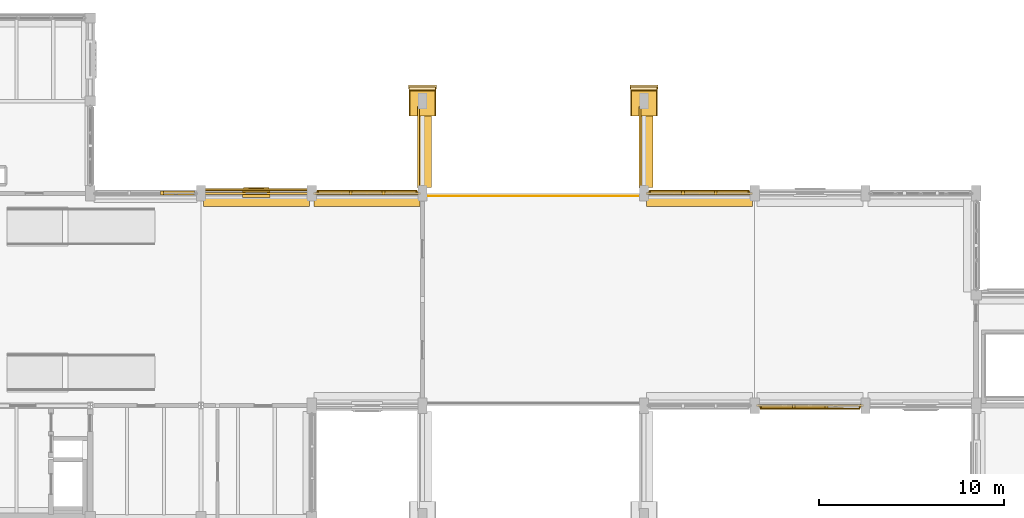
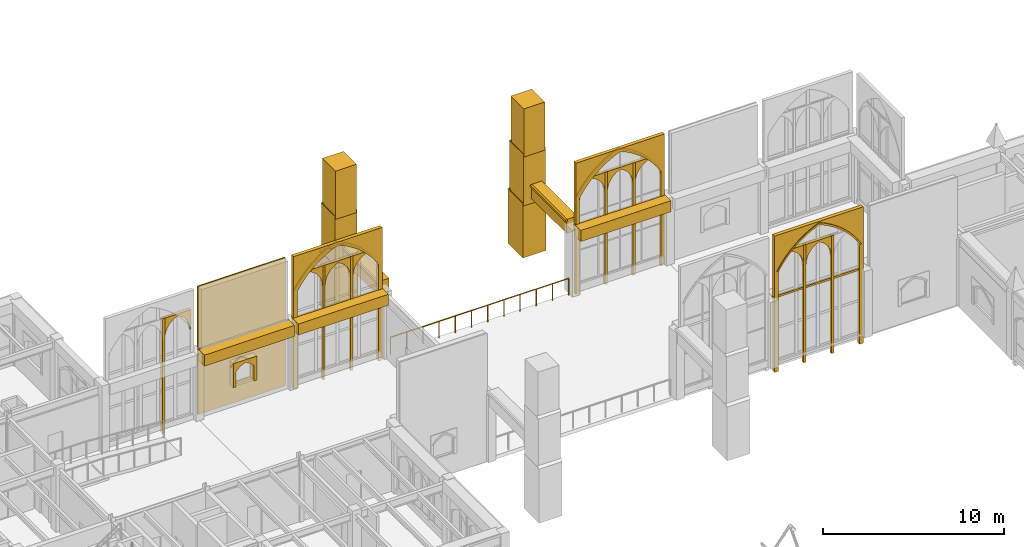
# One storey, part 100 of 108: 46 coverings, 1 railing.
"""IFC4 building model written with IfcOpenShell, lengths in metres."""

from ifc_helpers import new_model, si_unit, direction, frame, origin, origin_2d, place, context, subcontext, project, spatial, polyline, rectangle, circle, outline, extrude, material, type_object, element, save


model = new_model("IFC4")

# Units and contexts
model_context = context("Model", 3, precision=1e-05, world=origin(), true_north=direction((0.0, 1.0)))
body_context = subcontext(model_context, "Body", "Model", "MODEL_VIEW")
ifc_project = project(units=[si_unit("LENGTHUNIT", "METRE"), si_unit("AREAUNIT", "SQUARE_METRE"), si_unit("VOLUMEUNIT", "CUBIC_METRE"), si_unit("PLANEANGLEUNIT", "RADIAN"), si_unit("MASSUNIT", "GRAM", prefix="KILO")], contexts=[model_context])

# Site, building, storey
site_placement = place(None, origin())
site = spatial("IfcSite", under=ifc_project, at=site_placement, CompositionType="ELEMENT")
building_placement = place(site_placement, origin())
building = spatial("IfcBuilding", under=site, at=building_placement, Name="Cumevento Cable Car Station", CompositionType="ELEMENT")
storey_placement = place(building_placement, frame((0.0, 0.0, 13.5)))
storey = spatial("IfcBuildingStorey", under=building, at=storey_placement, Name="L04", CompositionType="ELEMENT", Elevation=13.5)

# Railing
ifc_material_1 = material(Name="Painted Galvanised Architectural Steel", Category="steel")
railing_type = type_object("IfcRailingType", Name="Terrace Guardrail GR-P115 1150", PredefinedType="GUARDRAIL", material=ifc_material_1)
railing_placement = place(storey_placement, frame((88.320068359375, 56.360107421875, 0.0)))
element("IfcRailing", 1, at=railing_placement, inside=storey, type_object=railing_type, Name="Boarding Hall North Uphill Cabin Throat Safety Balustrade", PredefinedType="GUARDRAIL", context=body_context, shape_type="SweptSolid", body=[
    extrude(circle(Radius=0.02392578125, at=origin_2d()), frame((0.0, 0.0, 1.1259765625), z_axis=(1.0, 0.0, 0.0), x_axis=(0.0, 1.0, 0.0)), (0.0, 0.0, 1.0), 11.35986328125),
    extrude(circle(Radius=0.02099609375, at=origin_2d()), origin(), (0.0, 0.0, 1.0), 1.101806640625),
    extrude(circle(Radius=0.02099609375, at=origin_2d()), frame((1.03271484375, 0.0, 0.0)), (0.0, 0.0, 1.0), 1.101806640625),
    extrude(circle(Radius=0.02099609375, at=origin_2d()), frame((2.0654296875, 0.0, 0.0)), (0.0, 0.0, 1.0), 1.101806640625),
    extrude(circle(Radius=0.02099609375, at=origin_2d()), frame((3.09814453125, 0.0, 0.0)), (0.0, 0.0, 1.0), 1.101806640625),
    extrude(circle(Radius=0.02099609375, at=origin_2d()), frame((4.130859375, 0.0, 0.0)), (0.0, 0.0, 1.0), 1.101806640625),
    extrude(circle(Radius=0.02099609375, at=origin_2d()), frame((5.16357421875, 0.0, 0.0)), (0.0, 0.0, 1.0), 1.101806640625),
    extrude(circle(Radius=0.02099609375, at=origin_2d()), frame((6.1962890625, 0.0, 0.0)), (0.0, 0.0, 1.0), 1.101806640625),
    extrude(circle(Radius=0.02099609375, at=origin_2d()), frame((7.22900390625, 0.0, 0.0)), (0.0, 0.0, 1.0), 1.101806640625),
    extrude(circle(Radius=0.02099609375, at=origin_2d()), frame((8.26171875, 0.0, 0.0)), (0.0, 0.0, 1.0), 1.101806640625),
    extrude(circle(Radius=0.02099609375, at=origin_2d()), frame((9.29443359375, 0.0, 0.0)), (0.0, 0.0, 1.0), 1.101806640625),
    extrude(circle(Radius=0.02099609375, at=origin_2d()), frame((10.3271484375, 0.0, 0.0)), (0.0, 0.0, 1.0), 1.101806640625),
    extrude(circle(Radius=0.02099609375, at=origin_2d()), frame((11.35986328125, 0.0, 0.0)), (0.0, 0.0, 1.0), 1.101806640625),
])

# Coverings
ifc_material_2 = material(Name="Gnaisse Facoidal Stone Ashlar 85 MPa", Category="masonry")
covering_type = type_object("IfcCoveringType", Name="Gnaisse Ashlar Cladding CV-CL01", PredefinedType="CLADDING", material=ifc_material_2)
covering_1_placement = place(storey_placement, frame((79.0, 56.1298828125, 3.782958984375), z_axis=(0.0, 0.0, 1.0), x_axis=(1.0, 0.0, 0.0)))
element("IfcCovering", 2, at=covering_1_placement, inside=storey, type_object=covering_type, Name="Gothic Stone Spandrel Stringcourse sc:0735", PredefinedType="CLADDING", context=body_context, shape_type="SweptSolid", body=[
    extrude(rectangle(XDim=5.739990234375, YDim=0.659912109375, at=origin_2d()), origin(), (0.0, 0.0, 1.0), 0.7470703125),
])
covering_2_placement = place(storey_placement, frame((79.0, 56.487548828125, 4.400146484375), z_axis=(0.0, 0.0, 1.0), x_axis=(1.0, 0.0, 0.0)))
element("IfcCovering", 3, at=covering_2_placement, inside=storey, type_object=covering_type, Name="Gothic Cornice Dripstone Lip sc:0735", PredefinedType="CLADDING", context=body_context, shape_type="SweptSolid", body=[
    extrude(rectangle(XDim=5.780029296875, YDim=0.114990234375, at=origin_2d()), origin(), (0.0, 0.0, 1.0), 0.1298828125),
])
covering_3_placement = place(storey_placement, frame((85.0, 56.1298828125, 3.782958984375), z_axis=(0.0, 0.0, 1.0), x_axis=(1.0, 0.0, 0.0)))
element("IfcCovering", 4, at=covering_3_placement, inside=storey, type_object=covering_type, Name="Gothic Stone Spandrel Stringcourse sc:0736", PredefinedType="CLADDING", context=body_context, shape_type="SweptSolid", body=[
    extrude(rectangle(XDim=5.739990234375, YDim=0.659912109375, at=origin_2d()), origin(), (0.0, 0.0, 1.0), 0.7470703125),
])
for number, where, z_axis, x_axis, name in (
    (5, (85.0, 56.487548828125, 4.400146484375), (0.0, 0.0, 1.0), (1.0, 0.0, 0.0), "Gothic Cornice Dripstone Lip sc:0736"),
    (6, (109.0, 45.012451171875, 4.400146484375), (0.0, 0.0, 1.0), (-1.0, 0.0, 0.0), "Gothic Cornice Dripstone Lip sc:0738"),
):
    element("IfcCovering", number, at=place(storey_placement, frame(where, z_axis=z_axis, x_axis=x_axis)), inside=storey, type_object=covering_type, Name=name, PredefinedType="CLADDING", context=body_context, shape_type="SweptSolid", body=[
        extrude(rectangle(XDim=5.780029296875, YDim=0.114990234375, at=origin_2d()), origin(), (0.0, 0.0, 1.0), 0.1298828125),
    ])
covering_4_placement = place(storey_placement, frame((103.0, 56.1298828125, 3.782958984375), z_axis=(0.0, 0.0, 1.0), x_axis=(1.0, 0.0, 0.0)))
element("IfcCovering", 7, at=covering_4_placement, inside=storey, type_object=covering_type, Name="Gothic Stone Spandrel Stringcourse sc:0740", PredefinedType="CLADDING", context=body_context, shape_type="SweptSolid", body=[
    extrude(rectangle(XDim=5.739990234375, YDim=0.659912109375, at=origin_2d()), origin(), (0.0, 0.0, 1.0), 0.7470703125),
])
covering_5_placement = place(storey_placement, frame((103.0, 56.487548828125, 4.400146484375), z_axis=(0.0, 0.0, 1.0), x_axis=(1.0, 0.0, 0.0)))
element("IfcCovering", 8, at=covering_5_placement, inside=storey, type_object=covering_type, Name="Gothic Cornice Dripstone Lip sc:0740", PredefinedType="CLADDING", context=body_context, shape_type="SweptSolid", body=[
    extrude(rectangle(XDim=5.780029296875, YDim=0.114990234375, at=origin_2d()), origin(), (0.0, 0.0, 1.0), 0.1298828125),
])
covering_6_placement = place(storey_placement, frame((88.14306640625, 59.0, 3.83203125), z_axis=(0.0, 0.0, 1.0), x_axis=(0.0, 1.0, 0.0)))
element("IfcCovering", 9, at=covering_6_placement, inside=storey, type_object=covering_type, Name="Gothic Stone Spandrel Stringcourse sc:0860", PredefinedType="CLADDING", context=body_context, shape_type="SweptSolid", body=[
    extrude(rectangle(XDim=4.389892578125, YDim=0.674072265625, at=origin_2d()), origin(), (0.0, 0.0, 1.0), 0.947998046875),
])
covering_7_placement = place(storey_placement, frame((87.778564453125, 59.0, 4.650146484375), z_axis=(0.0, 0.0, 1.0), x_axis=(0.0, 1.0, 0.0)))
element("IfcCovering", 10, at=covering_7_placement, inside=storey, type_object=covering_type, Name="Gothic Cornice Dripstone Lip sc:0860", PredefinedType="CLADDING", context=body_context, shape_type="SweptSolid", body=[
    extrude(rectangle(XDim=4.429931640625, YDim=0.114990234375, at=origin_2d()), origin(), (0.0, 0.0, 1.0), 0.1298828125),
])
covering_8_placement = place(storey_placement, frame((100.14306640625, 59.0, 3.83203125), z_axis=(0.0, 0.0, 1.0), x_axis=(0.0, 1.0, 0.0)))
element("IfcCovering", 11, at=covering_8_placement, inside=storey, type_object=covering_type, Name="Gothic Stone Spandrel Stringcourse sc:0861", PredefinedType="CLADDING", context=body_context, shape_type="SweptSolid", body=[
    extrude(rectangle(XDim=4.389892578125, YDim=0.674072265625, at=origin_2d()), origin(), (0.0, 0.0, 1.0), 0.947998046875),
])
covering_9_placement = place(storey_placement, frame((99.778564453125, 59.0, 4.650146484375), z_axis=(0.0, 0.0, 1.0), x_axis=(0.0, 1.0, 0.0)))
element("IfcCovering", 12, at=covering_9_placement, inside=storey, type_object=covering_type, Name="Gothic Cornice Dripstone Lip sc:0861", PredefinedType="CLADDING", context=body_context, shape_type="SweptSolid", body=[
    extrude(rectangle(XDim=4.429931640625, YDim=0.114990234375, at=origin_2d()), origin(), (0.0, 0.0, 1.0), 0.1298828125),
])
covering_10_placement = place(storey_placement, frame((88.0, 61.530029296875, 0.0), z_axis=(0.0, 0.0, 1.0), x_axis=(-1.0, 0.0, 0.0)))
element("IfcCovering", 13, at=covering_10_placement, inside=storey, type_object=covering_type, Name="Stepped Gothic Stone Buttress Tier 1 ptl_butt_f:1:88", PredefinedType="CLADDING", context=body_context, shape_type="SweptSolid", body=[
    extrude(rectangle(XDim=1.4599609375, YDim=1.659912109375, at=origin_2d()), origin(), (0.0, 0.0, 1.0), 3.68603515625),
])
covering_11_placement = place(storey_placement, frame((88.75, 62.3798828125, 3.666015625), z_axis=(0.0, 0.711135781079, 0.703054692658), x_axis=(-1.0, 0.0, 0.0)))
element("IfcCovering", 14, at=covering_11_placement, inside=storey, type_object=covering_type, Name="Gothic Buttress Sloped Stone Weathering 1 ptl_butt_f:1:88", PredefinedType="CLADDING", context=body_context, shape_type="SweptSolid", body=[
    extrude(outline(polyline([(0.0, 0.0), (1.5, 0.0), (1.5, 0.24169083397703695), (0.0, 0.24169083397703695), (0.0, 0.0)])), origin(), (0.0, 0.0, -1.0), 0.090087890625),
])
covering_12_placement = place(storey_placement, frame((88.0, 61.469970703125, 3.4921875), z_axis=(0.0, 0.0, 1.0), x_axis=(-1.0, 0.0, 0.0)))
element("IfcCovering", 15, at=covering_12_placement, inside=storey, type_object=covering_type, Name="Stepped Gothic Stone Buttress Tier 2 ptl_butt_f:1:88", PredefinedType="CLADDING", context=body_context, shape_type="SweptSolid", body=[
    extrude(rectangle(XDim=1.39990234375, YDim=1.5400390625, at=origin_2d()), origin(), (0.0, 0.0, 1.0), 3.491943359375),
])
covering_13_placement = place(storey_placement, frame((88.719970703125, 62.260009765625, 6.964111328125), z_axis=(0.0, 0.713916320815, 0.70023102393), x_axis=(-1.0, 0.0, 0.0)))
element("IfcCovering", 16, at=covering_13_placement, inside=storey, type_object=covering_type, Name="Gothic Buttress Sloped Stone Weathering 2 ptl_butt_f:1:88", PredefinedType="CLADDING", context=body_context, shape_type="SweptSolid", body=[
    extrude(outline(polyline([(0.0, 0.0), (1.43994140625, 0.0), (1.43994140625, 0.21407555310624363), (0.0, 0.21407555310624363), (0.0, 0.0)])), origin(), (0.0, 0.0, -1.0), 0.090087890625),
])
covering_14_placement = place(storey_placement, frame((88.0, 61.419921875, 6.7900390625), z_axis=(0.0, 0.0, 1.0), x_axis=(-1.0, 0.0, 0.0)))
element("IfcCovering", 17, at=covering_14_placement, inside=storey, type_object=covering_type, Name="Stepped Gothic Stone Buttress Tier 3 ptl_butt_f:1:88", PredefinedType="CLADDING", context=body_context, shape_type="SweptSolid", body=[
    extrude(rectangle(XDim=1.340087890625, YDim=1.43994140625, at=origin_2d()), origin(), (0.0, 0.0, 1.0), 3.25),
])
covering_15_placement = place(storey_placement, frame((100.0, 61.530029296875, 0.0), z_axis=(0.0, 0.0, 1.0), x_axis=(-1.0, 0.0, 0.0)))
element("IfcCovering", 18, at=covering_15_placement, inside=storey, type_object=covering_type, Name="Stepped Gothic Stone Buttress Tier 1 ptl_butt_f:1:100", PredefinedType="CLADDING", context=body_context, shape_type="SweptSolid", body=[
    extrude(rectangle(XDim=1.4599609375, YDim=1.659912109375, at=origin_2d()), origin(), (0.0, 0.0, 1.0), 3.68603515625),
])
covering_16_placement = place(storey_placement, frame((100.75, 62.3798828125, 3.666015625), z_axis=(0.0, 0.711135781079, 0.703054692658), x_axis=(-1.0, 0.0, 0.0)))
element("IfcCovering", 19, at=covering_16_placement, inside=storey, type_object=covering_type, Name="Gothic Buttress Sloped Stone Weathering 1 ptl_butt_f:1:100", PredefinedType="CLADDING", context=body_context, shape_type="SweptSolid", body=[
    extrude(outline(polyline([(0.0, 0.0), (1.5, 0.0), (1.5, 0.24169083397703695), (0.0, 0.24169083397703695), (0.0, 0.0)])), origin(), (0.0, 0.0, -1.0), 0.090087890625),
])
covering_17_placement = place(storey_placement, frame((100.0, 61.469970703125, 3.4921875), z_axis=(0.0, 0.0, 1.0), x_axis=(-1.0, 0.0, 0.0)))
element("IfcCovering", 20, at=covering_17_placement, inside=storey, type_object=covering_type, Name="Stepped Gothic Stone Buttress Tier 2 ptl_butt_f:1:100", PredefinedType="CLADDING", context=body_context, shape_type="SweptSolid", body=[
    extrude(rectangle(XDim=1.39990234375, YDim=1.5400390625, at=origin_2d()), origin(), (0.0, 0.0, 1.0), 3.491943359375),
])
covering_18_placement = place(storey_placement, frame((100.719970703125, 62.260009765625, 6.964111328125), z_axis=(0.0, 0.713916320815, 0.70023102393), x_axis=(-1.0, 0.0, 0.0)))
element("IfcCovering", 21, at=covering_18_placement, inside=storey, type_object=covering_type, Name="Gothic Buttress Sloped Stone Weathering 2 ptl_butt_f:1:100", PredefinedType="CLADDING", context=body_context, shape_type="SweptSolid", body=[
    extrude(outline(polyline([(0.0, 0.0), (1.43994140625, 0.0), (1.43994140625, 0.21407555310624363), (0.0, 0.21407555310624363), (0.0, 0.0)])), origin(), (0.0, 0.0, -1.0), 0.090087890625),
])
covering_19_placement = place(storey_placement, frame((100.0, 61.419921875, 6.7900390625), z_axis=(0.0, 0.0, 1.0), x_axis=(-1.0, 0.0, 0.0)))
element("IfcCovering", 22, at=covering_19_placement, inside=storey, type_object=covering_type, Name="Stepped Gothic Stone Buttress Tier 3 ptl_butt_f:1:100", PredefinedType="CLADDING", context=body_context, shape_type="SweptSolid", body=[
    extrude(rectangle(XDim=1.340087890625, YDim=1.43994140625, at=origin_2d()), origin(), (0.0, 0.0, 1.0), 3.25),
])
covering_20_placement = place(storey_placement, frame((70.25, 56.5, -0.320068359375), z_axis=(0.0, 0.0, 1.0), x_axis=(1.0, 0.0, 0.0)))
element("IfcCovering", 23, at=covering_20_placement, inside=storey, type_object=covering_type, Name="Gothic Bifora Stone Colonnette cw_ogival:0164 #2", PredefinedType="CLADDING", context=body_context, shape_type="SweptSolid", body=[
    extrude(outline(polyline([(3.563232421875, -0.02001953125), (3.71337890625, -0.02001953125), (3.71337890625, 7.72265625), (3.563232421875, 7.72265625), (3.563232421875, -0.02001953125)])), frame((0.0, 0.1279296875, 0.0), z_axis=(0.0, -1.0, 0.0), x_axis=(1.0, 0.0, 0.0)), (0.0, 0.0, 1.0), 0.205078125),
])
covering_21_placement = place(storey_placement, frame((73.933349609375, 56.5, 6.06298828125), z_axis=(0.0, 0.0, 1.0), x_axis=(1.0, 0.0, 0.0)))
element("IfcCovering", 24, at=covering_21_placement, inside=storey, type_object=covering_type, Name="Gothic Ogival Pointed-Arch Stone Spandrel cw_ogival:0164:sub:2", PredefinedType="CLADDING", context=body_context, shape_type="SweptSolid", body=[
    extrude(outline(polyline([(-0.02001953125, 0.0), (-0.02001953125, 1.339599609375), (1.706787109375, 1.339599609375), (1.706787109375, 0.0), (1.646728515625, 0.0), (1.621826171875, 0.256103515625), (1.5478515625, 0.502685546875), (1.427978515625, 0.730224609375), (1.26611328125, 0.930419921875), (1.06884765625, 1.095458984375), (0.84326171875, 1.219482421875), (0.617919921875, 1.095458984375), (0.420654296875, 0.930419921875), (0.2587890625, 0.730224609375), (0.138916015625, 0.502685546875), (0.06494140625, 0.256103515625), (0.0400390625, 0.0), (-0.02001953125, 0.0)])), frame((0.0, 0.1240234375, 0.0), z_axis=(0.0, -1.0, 0.0), x_axis=(1.0, 0.0, 0.0)), (0.0, 0.0, 1.0), 0.199951171875),
])
placement_1 = place(storey_placement, frame((82.25, 56.5, -0.27001953125), z_axis=(0.0, 0.0, 1.0), x_axis=(1.0, 0.0, 0.0)))
element("IfcCovering", 25, at=placement_1, inside=storey, type_object=covering_type, Name="Gothic Ogival Pointed-Arch Stone Spandrel cw_ogival:0165", PredefinedType="CLADDING", context=body_context, shape_type="SweptSolid", body=[
    extrude(outline(polyline([(-0.080078125, 0.0), (-0.080078125, 8.943115234375), (5.580078125, 8.943115234375), (5.580078125, 0.0), (5.340087890625, 0.0), (5.340087890625, 6.512939453125), (5.10400390625, 6.878173828125), (4.8388671875, 7.22265625), (4.546630859375, 7.544677734375), (4.22900390625, 7.841552734375), (3.88818359375, 8.111572265625), (3.5263671875, 8.352783203125), (3.146240234375, 8.563720703125), (2.75, 8.742919921875), (2.353759765625, 8.563720703125), (1.9736328125, 8.352783203125), (1.61181640625, 8.111572265625), (1.27099609375, 7.841552734375), (0.953369140625, 7.544677734375), (0.6611328125, 7.22265625), (0.39599609375, 6.878173828125), (0.159912109375, 6.512939453125), (0.159912109375, 0.0), (-0.080078125, 0.0)])), frame((0.0, 0.139892578125, 0.0), z_axis=(0.0, -1.0, 0.0), x_axis=(1.0, 0.0, 0.0)), (0.0, 0.0, 1.0), 0.219970703125),
])
covering_23_placement = place(storey_placement, frame((82.25, 56.5, 6.242919921875), z_axis=(0.0, 0.0, 1.0), x_axis=(1.0, 0.0, 0.0)))
element("IfcCovering", 26, at=covering_23_placement, inside=storey, type_object=covering_type, Name="Gothic Pointed Archivolt Hood Moulding cw_ogival:0165", PredefinedType="CLADDING", context=body_context, shape_type="SweptSolid", body=[
    extrude(outline(polyline([(0.159912109375, 0.0), (0.39599609375, 0.365234375), (0.6611328125, 0.709716796875), (0.953369140625, 1.03173828125), (1.27099609375, 1.32861328125), (1.61181640625, 1.5986328125), (1.9736328125, 1.83984375), (2.353759765625, 2.05078125), (2.75, 2.22998046875), (3.146240234375, 2.05078125), (3.5263671875, 1.83984375), (3.88818359375, 1.5986328125), (4.22900390625, 1.32861328125), (4.546630859375, 1.03173828125), (4.8388671875, 0.709716796875), (5.10400390625, 0.365234375), (5.340087890625, 0.0), (5.449951171875, 0.0), (5.206787109375, 0.386962890625), (4.932373046875, 0.75244140625), (4.628662109375, 1.093994140625), (4.2978515625, 1.409423828125), (3.94189453125, 1.6962890625), (3.563720703125, 1.95263671875), (3.16552734375, 2.177001953125), (2.75, 2.367431640625), (2.33447265625, 2.177001953125), (1.936279296875, 1.95263671875), (1.55810546875, 1.6962890625), (1.2021484375, 1.409423828125), (0.871337890625, 1.093994140625), (0.567626953125, 0.75244140625), (0.293212890625, 0.386962890625), (0.050048828125, 0.0), (0.159912109375, 0.0)])), frame((0.0, 0.181884765625, 0.0), z_axis=(0.0, -1.0, 0.0), x_axis=(1.0, 0.0, 0.0)), (0.0, 0.0, 1.0), 0.06689453125),
])
element("IfcCovering", 27, at=placement_1, inside=storey, type_object=covering_type, Name="Gothic Bifora Stone Colonnette cw_ogival:0165 #1", PredefinedType="CLADDING", context=body_context, shape_type="SweptSolid", body=[
    extrude(outline(polyline([(1.78662109375, -0.02001953125), (1.936767578125, -0.02001953125), (1.936767578125, 7.672607421875), (1.78662109375, 7.672607421875), (1.78662109375, -0.02001953125)])), frame((0.0, 0.1279296875, 0.0), z_axis=(0.0, -1.0, 0.0), x_axis=(1.0, 0.0, 0.0)), (0.0, 0.0, 1.0), 0.205078125),
])
element("IfcCovering", 28, at=placement_1, inside=storey, type_object=covering_type, Name="Gothic Bifora Stone Colonnette cw_ogival:0165 #2", PredefinedType="CLADDING", context=body_context, shape_type="SweptSolid", body=[
    extrude(outline(polyline([(3.563232421875, -0.02001953125), (3.71337890625, -0.02001953125), (3.71337890625, 7.672607421875), (3.563232421875, 7.672607421875), (3.563232421875, -0.02001953125)])), frame((0.0, 0.1279296875, 0.0), z_axis=(0.0, -1.0, 0.0), x_axis=(1.0, 0.0, 0.0)), (0.0, 0.0, 1.0), 0.205078125),
])
for number, where, z_axis, x_axis, name in (
    (29, (82.3798828125, 56.5, 6.06298828125), (0.0, 0.0, 1.0), (1.0, 0.0, 0.0), "Gothic Ogival Pointed-Arch Stone Spandrel cw_ogival:0165:sub:0"),
    (30, (84.15673828125, 56.5, 6.06298828125), (0.0, 0.0, 1.0), (1.0, 0.0, 0.0), "Gothic Ogival Pointed-Arch Stone Spandrel cw_ogival:0165:sub:1"),
    (31, (85.933349609375, 56.5, 6.06298828125), (0.0, 0.0, 1.0), (1.0, 0.0, 0.0), "Gothic Ogival Pointed-Arch Stone Spandrel cw_ogival:0165:sub:2"),
):
    element("IfcCovering", number, at=place(storey_placement, frame(where, z_axis=z_axis, x_axis=x_axis)), inside=storey, type_object=covering_type, Name=name, PredefinedType="CLADDING", context=body_context, shape_type="SweptSolid", body=[
        extrude(outline(polyline([(-0.02001953125, 0.0), (-0.02001953125, 1.339599609375), (1.706787109375, 1.339599609375), (1.706787109375, 0.0), (1.646728515625, 0.0), (1.621826171875, 0.256103515625), (1.5478515625, 0.502685546875), (1.427978515625, 0.730224609375), (1.26611328125, 0.930419921875), (1.06884765625, 1.095458984375), (0.84326171875, 1.219482421875), (0.617919921875, 1.095458984375), (0.420654296875, 0.930419921875), (0.2587890625, 0.730224609375), (0.138916015625, 0.502685546875), (0.06494140625, 0.256103515625), (0.0400390625, 0.0), (-0.02001953125, 0.0)])), frame((0.0, 0.1240234375, 0.0), z_axis=(0.0, -1.0, 0.0), x_axis=(1.0, 0.0, 0.0)), (0.0, 0.0, 1.0), 0.199951171875),
    ])
placement_2 = place(storey_placement, frame((100.25, 56.5, -0.159912109375), z_axis=(0.0, 0.0, 1.0), x_axis=(1.0, 0.0, 0.0)))
element("IfcCovering", 32, at=placement_2, inside=storey, type_object=covering_type, Name="Gothic Ogival Pointed-Arch Stone Spandrel cw_ogival:0167", PredefinedType="CLADDING", context=body_context, shape_type="SweptSolid", body=[
    extrude(outline(polyline([(-0.080078125, 0.0), (-0.080078125, 8.8330078125), (5.580078125, 8.8330078125), (5.580078125, 0.0), (5.340087890625, 0.0), (5.340087890625, 6.403076171875), (5.10400390625, 6.768310546875), (4.8388671875, 7.11279296875), (4.546630859375, 7.434814453125), (4.22900390625, 7.731689453125), (3.88818359375, 8.001708984375), (3.5263671875, 8.242919921875), (3.146240234375, 8.453857421875), (2.75, 8.633056640625), (2.353759765625, 8.453857421875), (1.9736328125, 8.242919921875), (1.61181640625, 8.001708984375), (1.27099609375, 7.731689453125), (0.953369140625, 7.434814453125), (0.6611328125, 7.11279296875), (0.39599609375, 6.768310546875), (0.159912109375, 6.403076171875), (0.159912109375, 0.0), (-0.080078125, 0.0)])), frame((0.0, 0.139892578125, 0.0), z_axis=(0.0, -1.0, 0.0), x_axis=(1.0, 0.0, 0.0)), (0.0, 0.0, 1.0), 0.219970703125),
])
covering_27_placement = place(storey_placement, frame((100.25, 56.5, 6.242919921875), z_axis=(0.0, 0.0, 1.0), x_axis=(1.0, 0.0, 0.0)))
element("IfcCovering", 33, at=covering_27_placement, inside=storey, type_object=covering_type, Name="Gothic Pointed Archivolt Hood Moulding cw_ogival:0167", PredefinedType="CLADDING", context=body_context, shape_type="SweptSolid", body=[
    extrude(outline(polyline([(0.159912109375, 0.0), (0.39599609375, 0.365234375), (0.6611328125, 0.709716796875), (0.953369140625, 1.03173828125), (1.27099609375, 1.32861328125), (1.61181640625, 1.5986328125), (1.9736328125, 1.83984375), (2.353759765625, 2.05078125), (2.75, 2.22998046875), (3.146240234375, 2.05078125), (3.5263671875, 1.83984375), (3.88818359375, 1.5986328125), (4.22900390625, 1.32861328125), (4.546630859375, 1.03173828125), (4.8388671875, 0.709716796875), (5.10400390625, 0.365234375), (5.340087890625, 0.0), (5.449951171875, 0.0), (5.206787109375, 0.386962890625), (4.932373046875, 0.75244140625), (4.628662109375, 1.093994140625), (4.2978515625, 1.409423828125), (3.94189453125, 1.6962890625), (3.563720703125, 1.95263671875), (3.16552734375, 2.177001953125), (2.75, 2.367431640625), (2.33447265625, 2.177001953125), (1.936279296875, 1.95263671875), (1.55810546875, 1.6962890625), (1.2021484375, 1.409423828125), (0.871337890625, 1.093994140625), (0.567626953125, 0.75244140625), (0.293212890625, 0.386962890625), (0.050048828125, 0.0), (0.159912109375, 0.0)])), frame((0.0, 0.181884765625, 0.0), z_axis=(0.0, -1.0, 0.0), x_axis=(1.0, 0.0, 0.0)), (0.0, 0.0, 1.0), 0.06689453125),
])
element("IfcCovering", 34, at=placement_2, inside=storey, type_object=covering_type, Name="Gothic Bifora Stone Colonnette cw_ogival:0167 #1", PredefinedType="CLADDING", context=body_context, shape_type="SweptSolid", body=[
    extrude(outline(polyline([(1.78662109375, -0.02001953125), (1.936767578125, -0.02001953125), (1.936767578125, 7.5625), (1.78662109375, 7.5625), (1.78662109375, -0.02001953125)])), frame((0.0, 0.1279296875, 0.0), z_axis=(0.0, -1.0, 0.0), x_axis=(1.0, 0.0, 0.0)), (0.0, 0.0, 1.0), 0.205078125),
])
element("IfcCovering", 35, at=placement_2, inside=storey, type_object=covering_type, Name="Gothic Bifora Stone Colonnette cw_ogival:0167 #2", PredefinedType="CLADDING", context=body_context, shape_type="SweptSolid", body=[
    extrude(outline(polyline([(3.563232421875, -0.02001953125), (3.71337890625, -0.02001953125), (3.71337890625, 7.5625), (3.563232421875, 7.5625), (3.563232421875, -0.02001953125)])), frame((0.0, 0.1279296875, 0.0), z_axis=(0.0, -1.0, 0.0), x_axis=(1.0, 0.0, 0.0)), (0.0, 0.0, 1.0), 0.205078125),
])
for number, where, z_axis, x_axis, name in (
    (36, (100.3798828125, 56.5, 6.06298828125), (0.0, 0.0, 1.0), (1.0, 0.0, 0.0), "Gothic Ogival Pointed-Arch Stone Spandrel cw_ogival:0167:sub:0"),
    (37, (102.15673828125, 56.5, 6.06298828125), (0.0, 0.0, 1.0), (1.0, 0.0, 0.0), "Gothic Ogival Pointed-Arch Stone Spandrel cw_ogival:0167:sub:1"),
    (38, (103.933349609375, 56.5, 6.06298828125), (0.0, 0.0, 1.0), (1.0, 0.0, 0.0), "Gothic Ogival Pointed-Arch Stone Spandrel cw_ogival:0167:sub:2"),
):
    element("IfcCovering", number, at=place(storey_placement, frame(where, z_axis=z_axis, x_axis=x_axis)), inside=storey, type_object=covering_type, Name=name, PredefinedType="CLADDING", context=body_context, shape_type="SweptSolid", body=[
        extrude(outline(polyline([(-0.02001953125, 0.0), (-0.02001953125, 1.339599609375), (1.706787109375, 1.339599609375), (1.706787109375, 0.0), (1.646728515625, 0.0), (1.621826171875, 0.256103515625), (1.5478515625, 0.502685546875), (1.427978515625, 0.730224609375), (1.26611328125, 0.930419921875), (1.06884765625, 1.095458984375), (0.84326171875, 1.219482421875), (0.617919921875, 1.095458984375), (0.420654296875, 0.930419921875), (0.2587890625, 0.730224609375), (0.138916015625, 0.502685546875), (0.06494140625, 0.256103515625), (0.0400390625, 0.0), (-0.02001953125, 0.0)])), frame((0.0, 0.1240234375, 0.0), z_axis=(0.0, -1.0, 0.0), x_axis=(1.0, 0.0, 0.0)), (0.0, 0.0, 1.0), 0.199951171875),
    ])
placement_3 = place(storey_placement, frame((111.75, 45.0, -0.52001953125), z_axis=(0.0, 0.0, 1.0), x_axis=(-1.0, 0.0, 0.0)))
element("IfcCovering", 39, at=placement_3, inside=storey, type_object=covering_type, Name="Gothic Ogival Pointed-Arch Stone Spandrel cw_ogival:0168", PredefinedType="CLADDING", context=body_context, shape_type="SweptSolid", body=[
    extrude(outline(polyline([(-0.080078125, 0.0), (-0.080078125, 9.193115234375), (5.580078125, 9.193115234375), (5.580078125, 0.0), (5.340087890625, 0.0), (5.340087890625, 6.762939453125), (5.10400390625, 7.128173828125), (4.8388671875, 7.47265625), (4.546630859375, 7.794677734375), (4.22900390625, 8.091552734375), (3.88818359375, 8.361572265625), (3.5263671875, 8.602783203125), (3.146240234375, 8.813720703125), (2.75, 8.992919921875), (2.353759765625, 8.813720703125), (1.9736328125, 8.602783203125), (1.61181640625, 8.361572265625), (1.27099609375, 8.091552734375), (0.953369140625, 7.794677734375), (0.6611328125, 7.47265625), (0.39599609375, 7.128173828125), (0.159912109375, 6.762939453125), (0.159912109375, 0.0), (-0.080078125, 0.0)])), frame((0.0, 0.139892578125, 0.0), z_axis=(0.0, -1.0, 0.0), x_axis=(1.0, 0.0, 0.0)), (0.0, 0.0, 1.0), 0.219970703125),
])
covering_31_placement = place(storey_placement, frame((111.75, 45.0, 6.242919921875), z_axis=(0.0, 0.0, 1.0), x_axis=(-1.0, 0.0, 0.0)))
element("IfcCovering", 40, at=covering_31_placement, inside=storey, type_object=covering_type, Name="Gothic Pointed Archivolt Hood Moulding cw_ogival:0168", PredefinedType="CLADDING", context=body_context, shape_type="SweptSolid", body=[
    extrude(outline(polyline([(0.159912109375, 0.0), (0.39599609375, 0.365234375), (0.6611328125, 0.709716796875), (0.953369140625, 1.03173828125), (1.27099609375, 1.32861328125), (1.61181640625, 1.5986328125), (1.9736328125, 1.83984375), (2.353759765625, 2.05078125), (2.75, 2.22998046875), (3.146240234375, 2.05078125), (3.5263671875, 1.83984375), (3.88818359375, 1.5986328125), (4.22900390625, 1.32861328125), (4.546630859375, 1.03173828125), (4.8388671875, 0.709716796875), (5.10400390625, 0.365234375), (5.340087890625, 0.0), (5.449951171875, 0.0), (5.206787109375, 0.386962890625), (4.932373046875, 0.75244140625), (4.628662109375, 1.093994140625), (4.2978515625, 1.409423828125), (3.94189453125, 1.6962890625), (3.563720703125, 1.95263671875), (3.16552734375, 2.177001953125), (2.75, 2.367431640625), (2.33447265625, 2.177001953125), (1.936279296875, 1.95263671875), (1.55810546875, 1.6962890625), (1.2021484375, 1.409423828125), (0.871337890625, 1.093994140625), (0.567626953125, 0.75244140625), (0.293212890625, 0.386962890625), (0.050048828125, 0.0), (0.159912109375, 0.0)])), frame((0.0, 0.181884765625, 0.0), z_axis=(0.0, -1.0, 0.0), x_axis=(1.0, 0.0, 0.0)), (0.0, 0.0, 1.0), 0.06689453125),
])
element("IfcCovering", 41, at=placement_3, inside=storey, type_object=covering_type, Name="Gothic Bifora Stone Colonnette cw_ogival:0168 #1", PredefinedType="CLADDING", context=body_context, shape_type="SweptSolid", body=[
    extrude(outline(polyline([(1.78662109375, -0.02001953125), (1.936767578125, -0.02001953125), (1.936767578125, 7.922607421875), (1.78662109375, 7.922607421875), (1.78662109375, -0.02001953125)])), frame((0.0, 0.1279296875, 0.0), z_axis=(0.0, -1.0, 0.0), x_axis=(1.0, 0.0, 0.0)), (0.0, 0.0, 1.0), 0.205078125),
])
element("IfcCovering", 42, at=placement_3, inside=storey, type_object=covering_type, Name="Gothic Bifora Stone Colonnette cw_ogival:0168 #2", PredefinedType="CLADDING", context=body_context, shape_type="SweptSolid", body=[
    extrude(outline(polyline([(3.563232421875, -0.02001953125), (3.71337890625, -0.02001953125), (3.71337890625, 7.922607421875), (3.563232421875, 7.922607421875), (3.563232421875, -0.02001953125)])), frame((0.0, 0.1279296875, 0.0), z_axis=(0.0, -1.0, 0.0), x_axis=(1.0, 0.0, 0.0)), (0.0, 0.0, 1.0), 0.205078125),
])
for number, where, z_axis, x_axis, name in (
    (43, (109.84326171875, 45.0, 6.06298828125), (0.0, 0.0, 1.0), (-1.0, 0.0, 0.0), "Gothic Ogival Pointed-Arch Stone Spandrel cw_ogival:0168:sub:1"),
    (44, (108.066650390625, 45.0, 6.06298828125), (0.0, 0.0, 1.0), (-1.0, 0.0, 0.0), "Gothic Ogival Pointed-Arch Stone Spandrel cw_ogival:0168:sub:2"),
):
    element("IfcCovering", number, at=place(storey_placement, frame(where, z_axis=z_axis, x_axis=x_axis)), inside=storey, type_object=covering_type, Name=name, PredefinedType="CLADDING", context=body_context, shape_type="SweptSolid", body=[
        extrude(outline(polyline([(-0.02001953125, 0.0), (-0.02001953125, 1.339599609375), (1.706787109375, 1.339599609375), (1.706787109375, 0.0), (1.646728515625, 0.0), (1.621826171875, 0.256103515625), (1.5478515625, 0.502685546875), (1.427978515625, 0.730224609375), (1.26611328125, 0.930419921875), (1.06884765625, 1.095458984375), (0.84326171875, 1.219482421875), (0.617919921875, 1.095458984375), (0.420654296875, 0.930419921875), (0.2587890625, 0.730224609375), (0.138916015625, 0.502685546875), (0.06494140625, 0.256103515625), (0.0400390625, 0.0), (-0.02001953125, 0.0)])), frame((0.0, 0.1240234375, 0.0), z_axis=(0.0, -1.0, 0.0), x_axis=(1.0, 0.0, 0.0)), (0.0, 0.0, 1.0), 0.199951171875),
    ])
covering_34_placement = place(storey_placement, frame((76.25, 56.5, 0.0), z_axis=(0.0, 0.0, 1.0), x_axis=(1.0, 0.0, 0.0)))
element("IfcCovering", 45, at=covering_34_placement, inside=storey, type_object=covering_type, Name="Exterior Gnaisse Stone Wall Ashlar #278", PredefinedType="CLADDING", context=body_context, shape_type="SweptSolid", body=[
    extrude(outline(polyline([(-0.0400390625, -0.02001953125), (5.5400390625, -0.02001953125), (5.5400390625, 8.613037109375), (-0.0400390625, 8.613037109375), (-0.0400390625, -0.02001953125)]), holes=[polyline([(2.18505859375, 1.360107421875), (3.31494140625, 1.360107421875), (3.31494140625, 2.68994140625), (2.18505859375, 2.68994140625), (2.18505859375, 1.360107421875)])]), frame((0.0, 0.237548828125, 0.0), z_axis=(0.0, -1.0, 0.0), x_axis=(1.0, 0.0, 0.0)), (0.0, 0.0, 1.0), 0.0849609375),
])
covering_35_placement = place(storey_placement, frame((78.284912109375, 56.5, 1.300048828125), z_axis=(0.0, 0.0, 1.0), x_axis=(1.0, 0.0, 0.0)))
element("IfcCovering", 46, at=covering_35_placement, inside=storey, type_object=covering_type, Name="Gothic Ogival Pointed-Arch Stone Spandrel op_ogival:0278:1", PredefinedType="CLADDING", context=body_context, shape_type="SweptSolid", body=[
    extrude(outline(polyline([(-0.0400390625, 0.0), (-0.0400390625, 1.6201171875), (1.469970703125, 1.6201171875), (1.469970703125, 0.0), (1.2900390625, 0.0), (1.2900390625, 1.02197265625), (1.22412109375, 1.10107421875), (1.15185546875, 1.174560546875), (1.073974609375, 1.24169921875), (0.990478515625, 1.30224609375), (0.902587890625, 1.355712890625), (0.810546875, 1.401611328125), (0.715087890625, 1.43994140625), (0.619384765625, 1.401611328125), (0.52734375, 1.355712890625), (0.439453125, 1.30224609375), (0.35595703125, 1.24169921875), (0.278076171875, 1.174560546875), (0.205810546875, 1.10107421875), (0.139892578125, 1.02197265625), (0.139892578125, 0.0), (-0.0400390625, 0.0)])), frame((0.0, 0.275390625, 0.0), z_axis=(0.0, -1.0, 0.0), x_axis=(1.0, 0.0, 0.0)), (0.0, 0.0, 1.0), 0.5048828125),
])
covering_36_placement = place(storey_placement, frame((78.284912109375, 56.5, 2.322021484375), z_axis=(0.0, 0.0, 1.0), x_axis=(1.0, 0.0, 0.0)))
element("IfcCovering", 47, at=covering_36_placement, inside=storey, type_object=covering_type, Name="Gothic Pointed Archivolt Hood Moulding op_ogival:0278:1", PredefinedType="CLADDING", context=body_context, shape_type="SweptSolid", body=[
    extrude(outline(polyline([(0.139892578125, 0.0), (0.205810546875, 0.0791015625), (0.278076171875, 0.152587890625), (0.35595703125, 0.2197265625), (0.439453125, 0.2802734375), (0.52734375, 0.333740234375), (0.619384765625, 0.379638671875), (0.715087890625, 0.41796875), (0.810546875, 0.379638671875), (0.902587890625, 0.333740234375), (0.990478515625, 0.2802734375), (1.073974609375, 0.2197265625), (1.15185546875, 0.152587890625), (1.22412109375, 0.0791015625), (1.2900390625, 0.0), (1.388916015625, 0.0), (1.3154296875, 0.1015625), (1.23291015625, 0.1962890625), (1.142578125, 0.283447265625), (1.044677734375, 0.362060546875), (0.940185546875, 0.431640625), (0.830078125, 0.49169921875), (0.715087890625, 0.541748046875), (0.599853515625, 0.49169921875), (0.48974609375, 0.431640625), (0.38525390625, 0.362060546875), (0.287353515625, 0.283447265625), (0.197021484375, 0.1962890625), (0.114501953125, 0.1015625), (0.041015625, 0.0), (0.139892578125, 0.0)])), frame((0.0, 0.3173828125, 0.0), z_axis=(0.0, -1.0, 0.0), x_axis=(1.0, 0.0, 0.0)), (0.0, 0.0, 1.0), 0.06689453125),
])

save(model, "model.ifc")
